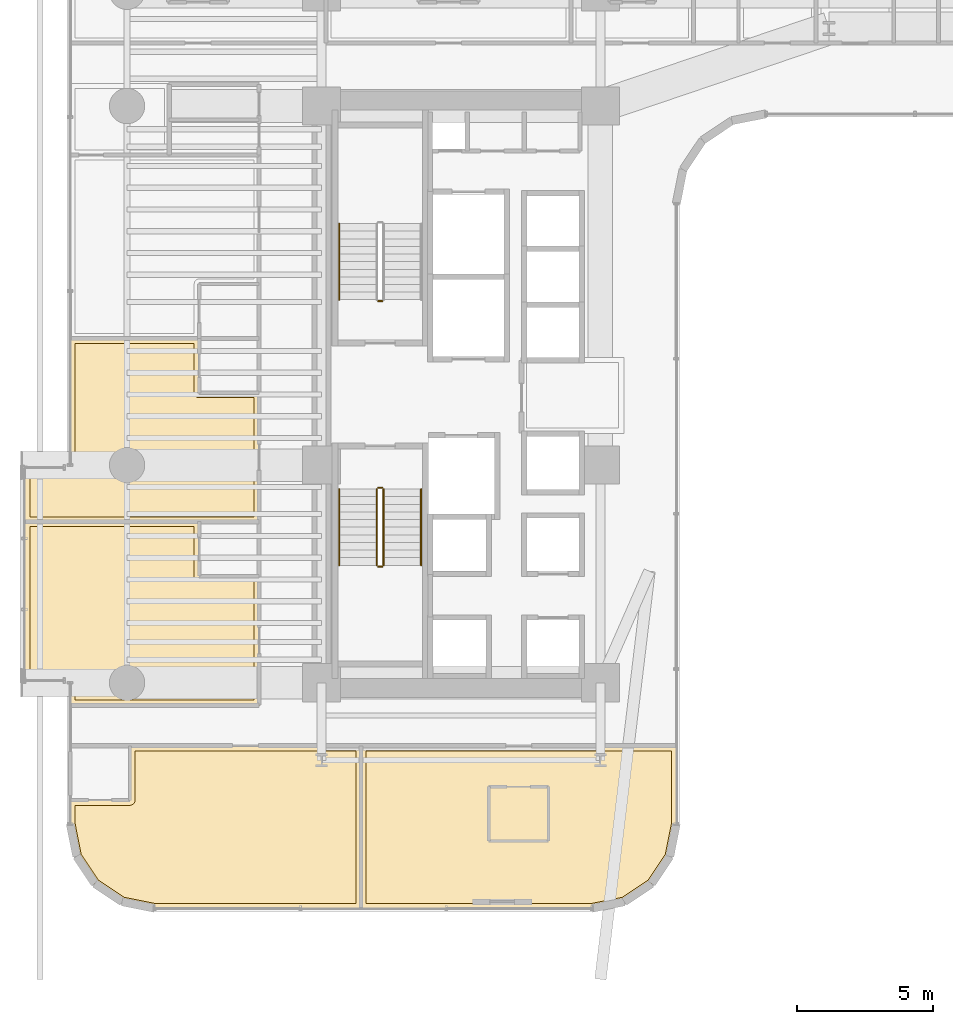
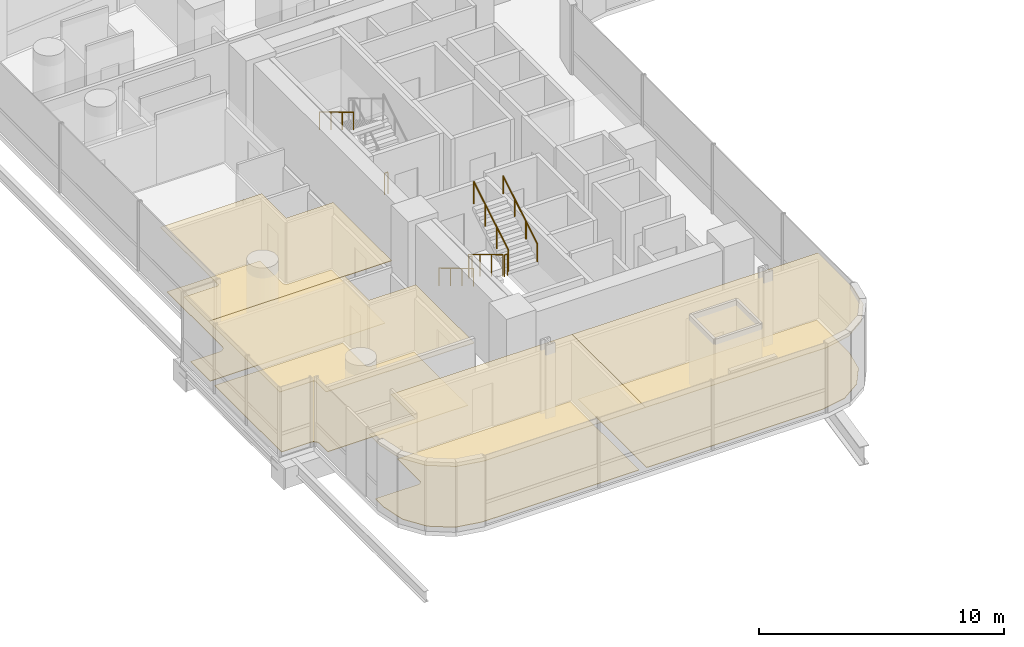
# One storey, part 45 of 50: 8 coverings, 8 railings.
"""IFC4 building model written with IfcOpenShell, lengths in metres."""

from ifc_helpers import new_model, si_unit, direction, frame, origin, origin_2d, place, context, subcontext, project, spatial, polyline, circle, outline, extrude, material, layer, layer_set, type_object, element, save


model = new_model("IFC4")

# Units and contexts
model_context = context("Model", 3, precision=1e-05, world=origin(), true_north=direction((0.0, 1.0)))
body_context = subcontext(model_context, "Body", "Model", "MODEL_VIEW")
ifc_project = project(units=[si_unit("LENGTHUNIT", "METRE"), si_unit("AREAUNIT", "SQUARE_METRE"), si_unit("VOLUMEUNIT", "CUBIC_METRE"), si_unit("PLANEANGLEUNIT", "RADIAN"), si_unit("MASSUNIT", "GRAM", prefix="KILO")], contexts=[model_context])

# Site, building, storey
site_placement = place(None, origin())
site = spatial("IfcSite", under=ifc_project, at=site_placement, CompositionType="ELEMENT")
building_placement = place(site_placement, origin())
building = spatial("IfcBuilding", under=site, at=building_placement, Name="Valdorenza Pilgrim Sanctuary Tower", CompositionType="ELEMENT")
storey_placement = place(building_placement, frame((0.0, 0.0, 26.0)))
storey = spatial("IfcBuildingStorey", under=building, at=storey_placement, Name="L05", CompositionType="ELEMENT", Elevation=26.0)

# Coverings
ifc_material_1 = material(Name="Micro-perforated acoustic mineral ceiling tile", Category="gypsum")
ifc_layer_1 = layer(ifc_material_1, 0.02490234375, Name="Micro-perforated acoustic mineral ceiling tile")
ifc_layer_set_1 = layer_set([ifc_layer_1], Name="Micro-perforated acoustic mineral ceiling tile")
covering_type_1 = type_object("IfcCoveringType", Name="COV-CLG-ACU", PredefinedType="CEILING", material=ifc_layer_set_1)
covering_1_placement = place(storey_placement, frame((0.0, 0.0, 3.159912109375)))
element("IfcCovering", 1, at=covering_1_placement, inside=storey, type_object=covering_type_1, Name="L05 Pilgrim Guest Room L05-W1 Acoustic Ceiling", PredefinedType="CEILING", context=body_context, shape_type="SweptSolid", body=[
    extrude(outline(polyline([(-31.905029296875, -10.600341796875), (-31.905517578125, -10.5908203125), (-31.90673828125, -10.58154296875), (-31.9091796875, -10.572509765625), (-31.912109375, -10.563720703125), (-31.916259765625, -10.55517578125), (-31.9208984375, -10.547119140625), (-31.926513671875, -10.539794921875), (-31.932861328125, -10.53271484375), (-31.939697265625, -10.526611328125), (-31.947265625, -10.52099609375), (-31.955078125, -10.51611328125), (-31.963623046875, -10.51220703125), (-31.972412109375, -10.509033203125), (-31.9814453125, -10.5068359375), (-31.99072265625, -10.505615234375), (-32.00048828125, -10.5048828125), (-33.5400390625, -10.5048828125), (-33.54150390625, -10.5048828125), (-33.54296875, -10.504638671875), (-33.54443359375, -10.50439453125), (-33.545654296875, -10.50390625), (-33.547119140625, -10.503173828125), (-33.54833984375, -10.50244140625), (-33.549560546875, -10.501708984375), (-33.550537109375, -10.50048828125), (-33.551513671875, -10.49951171875), (-33.552490234375, -10.498291015625), (-33.55322265625, -10.4970703125), (-33.553955078125, -10.49560546875), (-33.554443359375, -10.494384765625), (-33.5546875, -10.492919921875), (-33.554931640625, -10.491455078125), (-33.554931640625, -10.489990234375), (-33.554931640625, -4.679931640625), (-33.554931640625, -4.678466796875), (-33.5546875, -4.677001953125), (-33.554443359375, -4.675537109375), (-33.553955078125, -4.67431640625), (-33.55322265625, -4.6728515625), (-33.552490234375, -4.671630859375), (-33.551513671875, -4.67041015625), (-33.550537109375, -4.66943359375), (-33.549560546875, -4.66845703125), (-33.54833984375, -4.66748046875), (-33.547119140625, -4.666748046875), (-33.545654296875, -4.666015625), (-33.54443359375, -4.66552734375), (-33.54296875, -4.665283203125), (-33.54150390625, -4.6650390625), (-33.5400390625, -4.6650390625), (-27.152099609375, -4.6650390625), (-27.150390625, -4.6650390625), (-27.149169921875, -4.665283203125), (-27.147705078125, -4.66552734375), (-27.146240234375, -4.666015625), (-27.14501953125, -4.666748046875), (-27.143798828125, -4.66748046875), (-27.142578125, -4.66845703125), (-27.141357421875, -4.66943359375), (-27.140380859375, -4.67041015625), (-27.139404296875, -4.671630859375), (-27.138916015625, -4.6728515625), (-27.13818359375, -4.67431640625), (-27.1376953125, -4.675537109375), (-27.13720703125, -4.677001953125), (-27.13720703125, -4.678466796875), (-27.136962890625, -4.679931640625), (-27.136962890625, -6.6669921875), (-24.949951171875, -6.6669921875), (-24.948486328125, -6.6669921875), (-24.947021484375, -6.667236328125), (-24.945556640625, -6.66748046875), (-24.9443359375, -6.668212890625), (-24.94287109375, -6.668701171875), (-24.941650390625, -6.66943359375), (-24.9404296875, -6.67041015625), (-24.939453125, -6.67138671875), (-24.9384765625, -6.672607421875), (-24.9375, -6.673583984375), (-24.936767578125, -6.6748046875), (-24.93603515625, -6.67626953125), (-24.935546875, -6.677490234375), (-24.935302734375, -6.67919921875), (-24.93505859375, -6.680419921875), (-24.93505859375, -6.681884765625), (-24.93505859375, -11.419921875), (-24.93505859375, -11.42138671875), (-24.935302734375, -11.4228515625), (-24.935546875, -11.42431640625), (-24.93603515625, -11.42578125), (-24.936767578125, -11.427001953125), (-24.9375, -11.42822265625), (-24.9384765625, -11.429443359375), (-24.939453125, -11.4306640625), (-24.9404296875, -11.431640625), (-24.941650390625, -11.4326171875), (-24.94287109375, -11.43310546875), (-24.9443359375, -11.433837890625), (-24.945556640625, -11.434326171875), (-24.947021484375, -11.434814453125), (-24.948486328125, -11.434814453125), (-24.949951171875, -11.43505859375), (-31.889892578125, -11.43505859375), (-31.8916015625, -11.434814453125), (-31.892822265625, -11.434814453125), (-31.894287109375, -11.434326171875), (-31.895751953125, -11.433837890625), (-31.897216796875, -11.43310546875), (-31.898193359375, -11.4326171875), (-31.8994140625, -11.431640625), (-31.900634765625, -11.4306640625), (-31.901611328125, -11.429443359375), (-31.902587890625, -11.42822265625), (-31.9033203125, -11.427001953125), (-31.90380859375, -11.42578125), (-31.904296875, -11.42431640625), (-31.90478515625, -11.4228515625), (-31.90478515625, -11.42138671875), (-31.905029296875, -11.419921875), (-31.905029296875, -10.600341796875)])), origin(), (0.0, 0.0, 1.0), 0.025146484375),
])
covering_2_placement = place(storey_placement, frame((0.0, 0.0, 3.159912109375)))
element("IfcCovering", 2, at=covering_2_placement, inside=storey, type_object=covering_type_1, Name="L05 Pilgrim Guest Room L05-W2 Acoustic Ceiling", PredefinedType="CEILING", context=body_context, shape_type="SweptSolid", body=[
    extrude(outline(polyline([(-33.554931640625, -2.7099609375), (-33.554931640625, -2.70849609375), (-33.5546875, -2.70703125), (-33.554443359375, -2.70556640625), (-33.553955078125, -2.704345703125), (-33.55322265625, -2.702880859375), (-33.552490234375, -2.70166015625), (-33.551513671875, -2.700439453125), (-33.550537109375, -2.699462890625), (-33.549560546875, -2.698486328125), (-33.54833984375, -2.697509765625), (-33.547119140625, -2.69677734375), (-33.545654296875, -2.696044921875), (-33.54443359375, -2.695556640625), (-33.54296875, -2.6953125), (-33.54150390625, -2.695068359375), (-33.5400390625, -2.695068359375), (-32.00048828125, -2.695068359375), (-31.99072265625, -2.694580078125), (-31.9814453125, -2.693115234375), (-31.972412109375, -2.69091796875), (-31.963623046875, -2.687744140625), (-31.955078125, -2.683837890625), (-31.947265625, -2.678955078125), (-31.939697265625, -2.67333984375), (-31.932861328125, -2.667236328125), (-31.926513671875, -2.660400390625), (-31.9208984375, -2.65283203125), (-31.916259765625, -2.644775390625), (-31.912109375, -2.63623046875), (-31.9091796875, -2.627685546875), (-31.90673828125, -2.618408203125), (-31.905517578125, -2.609375), (-31.905029296875, -2.599609375), (-31.905029296875, 2.06005859375), (-31.90478515625, 2.0615234375), (-31.90478515625, 2.06298828125), (-31.904296875, 2.064453125), (-31.90380859375, 2.065673828125), (-31.9033203125, 2.067138671875), (-31.902587890625, 2.068359375), (-31.901611328125, 2.069580078125), (-31.900634765625, 2.070556640625), (-31.8994140625, 2.071533203125), (-31.898193359375, 2.072509765625), (-31.897216796875, 2.0732421875), (-31.895751953125, 2.073974609375), (-31.894287109375, 2.074462890625), (-31.892822265625, 2.07470703125), (-31.8916015625, 2.074951171875), (-31.889892578125, 2.074951171875), (-27.152099609375, 2.074951171875), (-27.150390625, 2.074951171875), (-27.149169921875, 2.07470703125), (-27.147705078125, 2.074462890625), (-27.146240234375, 2.073974609375), (-27.14501953125, 2.0732421875), (-27.143798828125, 2.072509765625), (-27.142578125, 2.071533203125), (-27.141357421875, 2.070556640625), (-27.140380859375, 2.069580078125), (-27.139404296875, 2.068359375), (-27.138916015625, 2.067138671875), (-27.13818359375, 2.065673828125), (-27.1376953125, 2.064453125), (-27.13720703125, 2.06298828125), (-27.13720703125, 2.0615234375), (-27.136962890625, 2.06005859375), (-27.136962890625, 0.072998046875), (-24.949951171875, 0.072998046875), (-24.948486328125, 0.072998046875), (-24.947021484375, 0.07275390625), (-24.945556640625, 0.072509765625), (-24.9443359375, 0.072021484375), (-24.94287109375, 0.0712890625), (-24.941650390625, 0.070556640625), (-24.9404296875, 0.069580078125), (-24.939453125, 0.068603515625), (-24.9384765625, 0.0673828125), (-24.9375, 0.06640625), (-24.936767578125, 0.065185546875), (-24.93603515625, 0.063720703125), (-24.935546875, 0.0625), (-24.935302734375, 0.060791015625), (-24.93505859375, 0.0595703125), (-24.93505859375, 0.05810546875), (-24.93505859375, -4.677978515625), (-24.93505859375, -4.679443359375), (-24.935302734375, -4.680908203125), (-24.935546875, -4.682373046875), (-24.93603515625, -4.68359375), (-24.936767578125, -4.68505859375), (-24.9375, -4.686279296875), (-24.9384765625, -4.6875), (-24.939453125, -4.688720703125), (-24.9404296875, -4.689697265625), (-24.941650390625, -4.6904296875), (-24.94287109375, -4.691162109375), (-24.9443359375, -4.69189453125), (-24.945556640625, -4.6923828125), (-24.947021484375, -4.692626953125), (-24.948486328125, -4.69287109375), (-24.949951171875, -4.693115234375), (-27.148193359375, -4.693115234375), (-27.14892578125, -4.693115234375), (-27.150390625, -4.693359375), (-27.152099609375, -4.693115234375), (-27.153564453125, -4.693115234375), (-27.15380859375, -4.693115234375), (-33.5400390625, -4.693115234375), (-33.54150390625, -4.69287109375), (-33.54296875, -4.692626953125), (-33.54443359375, -4.6923828125), (-33.545654296875, -4.69189453125), (-33.547119140625, -4.691162109375), (-33.54833984375, -4.6904296875), (-33.549560546875, -4.689697265625), (-33.550537109375, -4.688720703125), (-33.551513671875, -4.6875), (-33.552490234375, -4.686279296875), (-33.55322265625, -4.68505859375), (-33.553955078125, -4.68359375), (-33.554443359375, -4.682373046875), (-33.5546875, -4.680908203125), (-33.554931640625, -4.679443359375), (-33.554931640625, -4.677978515625), (-33.554931640625, -2.7099609375)])), origin(), (0.0, 0.0, 1.0), 0.025146484375),
])
covering_3_placement = place(storey_placement, frame((0.0, 0.0, 3.159912109375)))
element("IfcCovering", 3, at=covering_3_placement, inside=storey, type_object=covering_type_1, Name="L05 South Guest Room L05-S1 Acoustic Ceiling", PredefinedType="CEILING", context=body_context, shape_type="SweptSolid", body=[
    extrude(outline(polyline([(-29.702880859375, -14.906982421875), (-29.702880859375, -12.919921875), (-29.702880859375, -12.91845703125), (-29.70263671875, -12.9169921875), (-29.702392578125, -12.91552734375), (-29.701904296875, -12.914306640625), (-29.701171875, -12.912841796875), (-29.700439453125, -12.91162109375), (-29.69970703125, -12.910400390625), (-29.698486328125, -12.909423828125), (-29.697509765625, -12.908447265625), (-29.6962890625, -12.907470703125), (-29.695068359375, -12.90673828125), (-29.693603515625, -12.906005859375), (-29.6923828125, -12.905517578125), (-29.69091796875, -12.9052734375), (-29.689453125, -12.905029296875), (-29.68798828125, -12.905029296875), (-21.199951171875, -12.905029296875), (-21.198486328125, -12.905029296875), (-21.197021484375, -12.9052734375), (-21.195556640625, -12.905517578125), (-21.1943359375, -12.906005859375), (-21.19287109375, -12.90673828125), (-21.191650390625, -12.907470703125), (-21.1904296875, -12.908447265625), (-21.189453125, -12.909423828125), (-21.1884765625, -12.910400390625), (-21.1875, -12.91162109375), (-21.186767578125, -12.912841796875), (-21.18603515625, -12.914306640625), (-21.185546875, -12.91552734375), (-21.185302734375, -12.9169921875), (-21.18505859375, -12.91845703125), (-21.18505859375, -12.919921875), (-21.18505859375, -18.889892578125), (-21.18505859375, -18.8916015625), (-21.185302734375, -18.892822265625), (-21.185546875, -18.894287109375), (-21.18603515625, -18.895751953125), (-21.186767578125, -18.897216796875), (-21.1875, -18.898193359375), (-21.1884765625, -18.8994140625), (-21.189453125, -18.900634765625), (-21.1904296875, -18.901611328125), (-21.191650390625, -18.902587890625), (-21.19287109375, -18.9033203125), (-21.1943359375, -18.90380859375), (-21.195556640625, -18.904296875), (-21.197021484375, -18.90478515625), (-21.198486328125, -18.90478515625), (-21.199951171875, -18.905029296875), (-28.789306640625, -18.905029296875), (-28.79052734375, -18.90478515625), (-28.7919921875, -18.90478515625), (-29.984619140625, -18.66748046875), (-29.986083984375, -18.6669921875), (-29.9873046875, -18.66650390625), (-29.98876953125, -18.666015625), (-29.989990234375, -18.665283203125), (-30.99169921875, -17.995849609375), (-30.992919921875, -17.9951171875), (-30.993896484375, -17.993896484375), (-30.9951171875, -17.992919921875), (-30.995849609375, -17.99169921875), (-31.665283203125, -16.989990234375), (-31.666015625, -16.98876953125), (-31.66650390625, -16.9873046875), (-31.6669921875, -16.986083984375), (-31.66748046875, -16.984619140625), (-31.90478515625, -15.7919921875), (-31.90478515625, -15.79052734375), (-31.905029296875, -15.789306640625), (-31.905029296875, -14.922119140625), (-31.90478515625, -14.92041015625), (-31.90478515625, -14.919189453125), (-31.904296875, -14.91748046875), (-31.90380859375, -14.916259765625), (-31.9033203125, -14.914794921875), (-31.902587890625, -14.913818359375), (-31.901611328125, -14.91259765625), (-31.900634765625, -14.911376953125), (-31.8994140625, -14.910400390625), (-31.898193359375, -14.909423828125), (-31.897216796875, -14.90869140625), (-31.895751953125, -14.908203125), (-31.894287109375, -14.90771484375), (-31.892822265625, -14.9072265625), (-31.8916015625, -14.906982421875), (-31.889892578125, -14.906982421875), (-29.702880859375, -14.906982421875)])), origin(), (0.0, 0.0, 1.0), 0.025146484375),
])
covering_4_placement = place(storey_placement, frame((0.0, 0.0, 3.159912109375)))
element("IfcCovering", 4, at=covering_4_placement, inside=storey, type_object=covering_type_1, Name="L05 South Guest Room L05-S2 Acoustic Ceiling", PredefinedType="CEILING", context=body_context, shape_type="SweptSolid", body=[
    extrude(outline(polyline([(-9.610107421875, -12.905029296875), (-9.6083984375, -12.905029296875), (-9.607177734375, -12.9052734375), (-9.605712890625, -12.905517578125), (-9.604248046875, -12.906005859375), (-9.602783203125, -12.90673828125), (-9.601806640625, -12.907470703125), (-9.6005859375, -12.908447265625), (-9.599365234375, -12.909423828125), (-9.598388671875, -12.910400390625), (-9.597412109375, -12.91162109375), (-9.5966796875, -12.912841796875), (-9.59619140625, -12.914306640625), (-9.595703125, -12.91552734375), (-9.59521484375, -12.9169921875), (-9.59521484375, -12.91845703125), (-9.594970703125, -12.919921875), (-9.594970703125, -15.789306640625), (-9.59521484375, -15.79052734375), (-9.59521484375, -15.7919921875), (-9.83251953125, -16.984619140625), (-9.8330078125, -16.986083984375), (-9.83349609375, -16.9873046875), (-9.833984375, -16.98876953125), (-9.834716796875, -16.989990234375), (-10.504150390625, -17.99169921875), (-10.5048828125, -17.992919921875), (-10.506103515625, -17.993896484375), (-10.507080078125, -17.9951171875), (-10.50830078125, -17.995849609375), (-11.510009765625, -18.665283203125), (-11.51123046875, -18.666015625), (-11.5126953125, -18.66650390625), (-11.513916015625, -18.6669921875), (-11.515380859375, -18.66748046875), (-12.7080078125, -18.90478515625), (-12.70947265625, -18.90478515625), (-12.710693359375, -18.905029296875), (-21.197998046875, -18.905029296875), (-21.199462890625, -18.90478515625), (-21.200927734375, -18.90478515625), (-21.202392578125, -18.904296875), (-21.20361328125, -18.90380859375), (-21.205078125, -18.9033203125), (-21.206298828125, -18.902587890625), (-21.20751953125, -18.901611328125), (-21.20849609375, -18.900634765625), (-21.209716796875, -18.8994140625), (-21.21044921875, -18.898193359375), (-21.211181640625, -18.897216796875), (-21.2119140625, -18.895751953125), (-21.21240234375, -18.894287109375), (-21.212646484375, -18.892822265625), (-21.212890625, -18.8916015625), (-21.212890625, -18.889892578125), (-21.212890625, -12.919921875), (-21.212890625, -12.91845703125), (-21.212646484375, -12.9169921875), (-21.21240234375, -12.91552734375), (-21.2119140625, -12.914306640625), (-21.211181640625, -12.912841796875), (-21.21044921875, -12.91162109375), (-21.209716796875, -12.910400390625), (-21.20849609375, -12.909423828125), (-21.20751953125, -12.908447265625), (-21.206298828125, -12.907470703125), (-21.205078125, -12.90673828125), (-21.20361328125, -12.906005859375), (-21.202392578125, -12.905517578125), (-21.200927734375, -12.9052734375), (-21.199462890625, -12.905029296875), (-21.197998046875, -12.905029296875), (-9.610107421875, -12.905029296875)])), origin(), (0.0, 0.0, 1.0), 0.025146484375),
])
ifc_material_2 = material(Name="Engineered European oak timber flooring", Category="wood")
ifc_layer_2 = layer(ifc_material_2, 0.02197265625, Name="Engineered European oak timber flooring")
ifc_layer_set_2 = layer_set([ifc_layer_2], Name="Engineered European oak timber flooring")
covering_type_2 = type_object("IfcCoveringType", Name="COV-FLR-OAK", PredefinedType="FLOORING", material=ifc_layer_set_2)
covering_5_placement = place(storey_placement, origin())
element("IfcCovering", 5, at=covering_5_placement, inside=storey, type_object=covering_type_2, Name="L05 Pilgrim Guest Room L05-W1 Flooring", PredefinedType="FLOORING", context=body_context, shape_type="SweptSolid", body=[
    extrude(outline(polyline([(-31.7099609375, -10.60009765625), (-31.710205078125, -10.59130859375), (-31.710693359375, -10.580322265625), (-31.71240234375, -10.562744140625), (-31.714111328125, -10.552001953125), (-31.717529296875, -10.534912109375), (-31.72021484375, -10.5244140625), (-31.725341796875, -10.50732421875), (-31.72900390625, -10.497314453125), (-31.735595703125, -10.48095703125), (-31.740234375, -10.47119140625), (-31.74853515625, -10.45556640625), (-31.754150390625, -10.4462890625), (-31.763916015625, -10.431640625), (-31.7705078125, -10.423095703125), (-31.781494140625, -10.4091796875), (-31.788818359375, -10.4013671875), (-31.80126953125, -10.388916015625), (-31.809326171875, -10.381591796875), (-31.822998046875, -10.370361328125), (-31.831787109375, -10.364013671875), (-31.84619140625, -10.35400390625), (-31.855712890625, -10.3486328125), (-31.87109375, -10.34033203125), (-31.880859375, -10.335693359375), (-31.897216796875, -10.328857421875), (-31.907470703125, -10.3251953125), (-31.92431640625, -10.320068359375), (-31.934814453125, -10.3173828125), (-31.9521484375, -10.314208984375), (-31.962890625, -10.3125), (-31.98046875, -10.310791015625), (-31.9912109375, -10.310302734375), (-32.0, -10.31005859375), (-33.360107421875, -10.31005859375), (-33.360107421875, -4.860107421875), (-27.33203125, -4.860107421875), (-27.33203125, -6.679931640625), (-27.331787109375, -6.688720703125), (-27.331787109375, -6.68896484375), (-27.330078125, -6.70654296875), (-27.330078125, -6.706787109375), (-27.32666015625, -6.72412109375), (-27.326416015625, -6.724365234375), (-27.3212890625, -6.7412109375), (-27.3212890625, -6.741455078125), (-27.314697265625, -6.7578125), (-27.314453125, -6.7578125), (-27.30615234375, -6.7734375), (-27.30615234375, -6.773681640625), (-27.296142578125, -6.788330078125), (-27.296142578125, -6.78857421875), (-27.284912109375, -6.802001953125), (-27.284912109375, -6.80224609375), (-27.272216796875, -6.814697265625), (-27.272216796875, -6.81494140625), (-27.258544921875, -6.826171875), (-27.25830078125, -6.826171875), (-27.24365234375, -6.836181640625), (-27.243408203125, -6.836181640625), (-27.227783203125, -6.844482421875), (-27.227783203125, -6.844482421875), (-27.21142578125, -6.851318359375), (-27.211181640625, -6.851318359375), (-27.1943359375, -6.8564453125), (-27.194091796875, -6.856689453125), (-27.1767578125, -6.860107421875), (-27.176513671875, -6.860107421875), (-27.158935546875, -6.86181640625), (-27.15869140625, -6.86181640625), (-27.14990234375, -6.862060546875), (-25.1298828125, -6.862060546875), (-25.1298828125, -11.239990234375), (-31.7099609375, -11.239990234375), (-31.7099609375, -10.60009765625)])), origin(), (0.0, 0.0, 1.0), 0.02490234375),
])
covering_6_placement = place(storey_placement, origin())
element("IfcCovering", 6, at=covering_6_placement, inside=storey, type_object=covering_type_2, Name="L05 Pilgrim Guest Room L05-W2 Flooring", PredefinedType="FLOORING", context=body_context, shape_type="SweptSolid", body=[
    extrude(outline(polyline([(-33.360107421875, -2.889892578125), (-32.0, -2.889892578125), (-31.9912109375, -2.889892578125), (-31.98046875, -2.889404296875), (-31.962890625, -2.887451171875), (-31.9521484375, -2.885986328125), (-31.934814453125, -2.882568359375), (-31.92431640625, -2.8798828125), (-31.907470703125, -2.874755859375), (-31.897216796875, -2.87109375), (-31.880859375, -2.8642578125), (-31.87109375, -2.859619140625), (-31.855712890625, -2.851318359375), (-31.84619140625, -2.845947265625), (-31.831787109375, -2.8359375), (-31.822998046875, -2.82958984375), (-31.809326171875, -2.818359375), (-31.80126953125, -2.811279296875), (-31.788818359375, -2.798583984375), (-31.781494140625, -2.790771484375), (-31.7705078125, -2.777099609375), (-31.763916015625, -2.768310546875), (-31.754150390625, -2.753662109375), (-31.74853515625, -2.744384765625), (-31.740234375, -2.728759765625), (-31.735595703125, -2.718994140625), (-31.72900390625, -2.70263671875), (-31.725341796875, -2.692626953125), (-31.72021484375, -2.67578125), (-31.717529296875, -2.665283203125), (-31.714111328125, -2.64794921875), (-31.71240234375, -2.63720703125), (-31.710693359375, -2.61962890625), (-31.710205078125, -2.60888671875), (-31.7099609375, -2.60009765625), (-31.7099609375, 1.8798828125), (-27.33203125, 1.8798828125), (-27.33203125, 0.06005859375), (-27.331787109375, 0.05126953125), (-27.331787109375, 0.051025390625), (-27.330078125, 0.033447265625), (-27.330078125, 0.033203125), (-27.32666015625, 0.015869140625), (-27.326416015625, 0.015625), (-27.3212890625, -0.001220703125), (-27.3212890625, -0.00146484375), (-27.314697265625, -0.017578125), (-27.314453125, -0.017822265625), (-27.30615234375, -0.033447265625), (-27.30615234375, -0.03369140625), (-27.296142578125, -0.04833984375), (-27.296142578125, -0.048583984375), (-27.284912109375, -0.06201171875), (-27.284912109375, -0.062255859375), (-27.272216796875, -0.07470703125), (-27.272216796875, -0.074951171875), (-27.258544921875, -0.086181640625), (-27.25830078125, -0.086181640625), (-27.24365234375, -0.09619140625), (-27.243408203125, -0.09619140625), (-27.227783203125, -0.1044921875), (-27.227783203125, -0.1044921875), (-27.21142578125, -0.111328125), (-27.211181640625, -0.111328125), (-27.1943359375, -0.116455078125), (-27.194091796875, -0.11669921875), (-27.1767578125, -0.1201171875), (-27.176513671875, -0.1201171875), (-27.158935546875, -0.121826171875), (-27.15869140625, -0.121826171875), (-27.14990234375, -0.1220703125), (-25.1298828125, -0.1220703125), (-25.1298828125, -4.498046875), (-27.14990234375, -4.498046875), (-27.15087890625, -4.498046875), (-27.151611328125, -4.498046875), (-27.152099609375, -4.498046875), (-33.360107421875, -4.498046875), (-33.360107421875, -2.889892578125)])), origin(), (0.0, 0.0, 1.0), 0.02490234375),
])
covering_7_placement = place(storey_placement, origin())
element("IfcCovering", 7, at=covering_7_placement, inside=storey, type_object=covering_type_2, Name="L05 South Guest Room L05-S1 Flooring", PredefinedType="FLOORING", context=body_context, shape_type="SweptSolid", body=[
    extrude(outline(polyline([(-28.771484375, -18.7099609375), (-29.911376953125, -18.483154296875), (-30.853515625, -17.853515625), (-31.483154296875, -16.911376953125), (-31.7099609375, -15.771484375), (-31.7099609375, -15.10205078125), (-29.68994140625, -15.10205078125), (-29.68115234375, -15.101806640625), (-29.680908203125, -15.101806640625), (-29.663330078125, -15.10009765625), (-29.6630859375, -15.10009765625), (-29.64599609375, -15.0966796875), (-29.645751953125, -15.096435546875), (-29.62890625, -15.09130859375), (-29.628662109375, -15.09130859375), (-29.6123046875, -15.084716796875), (-29.612060546875, -15.08447265625), (-29.596435546875, -15.076171875), (-29.596435546875, -15.076171875), (-29.581787109375, -15.066162109375), (-29.58154296875, -15.066162109375), (-29.56787109375, -15.054931640625), (-29.567626953125, -15.0546875), (-29.55517578125, -15.042236328125), (-29.55517578125, -15.0419921875), (-29.5439453125, -15.028564453125), (-29.543701171875, -15.0283203125), (-29.533935546875, -15.013671875), (-29.53369140625, -15.013427734375), (-29.525390625, -14.997802734375), (-29.525390625, -14.997802734375), (-29.518798828125, -14.9814453125), (-29.5185546875, -14.981201171875), (-29.513427734375, -14.96435546875), (-29.513427734375, -14.964111328125), (-29.510009765625, -14.94677734375), (-29.510009765625, -14.946533203125), (-29.50830078125, -14.928955078125), (-29.50830078125, -14.9287109375), (-29.508056640625, -14.919921875), (-29.508056640625, -13.10009765625), (-21.3798828125, -13.10009765625), (-21.3798828125, -18.7099609375), (-28.771484375, -18.7099609375)])), origin(), (0.0, 0.0, 1.0), 0.02490234375),
])
covering_8_placement = place(storey_placement, origin())
element("IfcCovering", 8, at=covering_8_placement, inside=storey, type_object=covering_type_2, Name="L05 South Guest Room L05-S2 Flooring", PredefinedType="FLOORING", context=body_context, shape_type="SweptSolid", body=[
    extrude(outline(polyline([(-9.7900390625, -13.10009765625), (-9.7900390625, -15.771484375), (-10.016845703125, -16.911376953125), (-10.646484375, -17.853515625), (-11.588623046875, -18.483154296875), (-12.728515625, -18.7099609375), (-21.01806640625, -18.7099609375), (-21.01806640625, -13.10009765625), (-9.7900390625, -13.10009765625)])), origin(), (0.0, 0.0, 1.0), 0.02490234375),
])

# Railings
ifc_material_3 = material(Name="Stainless steel Grade 316", Category="steel")
railing_type_1 = type_object("IfcRailingType", Name="RLG-GRD-1120", PredefinedType="GUARDRAIL", material=ifc_material_3)
railing_1_placement = place(storey_placement, frame((-20.419921875, 3.429931640625, 0.0)))
element("IfcRailing", 9, at=railing_1_placement, inside=storey, type_object=railing_type_1, Name="L05 ST-A1 stair guard 4", PredefinedType="GUARDRAIL", context=body_context, shape_type="SweptSolid", body=[
    extrude(circle(Radius=0.02392578125, at=origin_2d()), frame((0.0, 0.0, 1.076171875), z_axis=(-1.0, 0.0, 0.0), x_axis=(0.0, -1.0, 0.0)), (0.0, 0.0, 1.0), 0.150146484375),
    extrude(circle(Radius=0.02099609375, at=origin_2d()), origin(), (0.0, 0.0, 1.0), 1.052001953125),
    extrude(circle(Radius=0.02099609375, at=origin_2d()), frame((-0.150146484375, 0.0, 0.0)), (0.0, 0.0, 1.0), 1.052001953125),
])
railing_2_placement = place(storey_placement, frame((-20.6201171875, -3.47998046875, 0.168212890625)))
element("IfcRailing", 10, at=railing_2_placement, inside=storey, type_object=railing_type_1, Name="L05 ST-A2 stair guard 1", PredefinedType="GUARDRAIL", context=body_context, shape_type="SweptSolid", body=[
    extrude(circle(Radius=0.02392578125, at=origin_2d()), frame((0.0, 0.0, 1.076171875), z_axis=(0.0, -0.857242210791, 0.514913383045), x_axis=(1.0, 0.0, 0.0)), (0.0, 0.0, 1.0), 3.266357421875),
    extrude(circle(Radius=0.02099609375, at=origin_2d()), origin(), (0.0, 0.0, 1.0), 1.052001953125),
    extrude(circle(Radius=0.02099609375, at=origin_2d()), frame((0.0, -0.933349609375, 0.560546875)), (0.0, 0.0, 1.0), 1.052001953125),
    extrude(circle(Radius=0.02099609375, at=origin_2d()), frame((0.0, -1.86669921875, 1.121337890625)), (0.0, 0.0, 1.0), 1.052001953125),
    extrude(circle(Radius=0.02099609375, at=origin_2d()), frame((0.0, -2.800048828125, 1.681884765625)), (0.0, 0.0, 1.0), 1.052001953125),
])
railing_3_placement = place(storey_placement, frame((-20.570068359375, -6.330078125, 1.85009765625)))
element("IfcRailing", 11, at=railing_3_placement, inside=storey, type_object=railing_type_1, Name="L05 ST-A2 stair guard 2", PredefinedType="GUARDRAIL", context=body_context, shape_type="SweptSolid", body=[
    extrude(circle(Radius=0.02392578125, at=origin_2d()), frame((0.0, 0.0, 1.076171875), z_axis=(1.0, 0.0, 0.0), x_axis=(0.0, 1.0, 0.0)), (0.0, 0.0, 1.0), 0.150146484375),
    extrude(circle(Radius=0.02099609375, at=origin_2d()), origin(), (0.0, 0.0, 1.0), 1.052001953125),
    extrude(circle(Radius=0.02099609375, at=origin_2d()), frame((0.150146484375, 0.0, 0.0)), (0.0, 0.0, 1.0), 1.052001953125),
])
railing_4_placement = place(storey_placement, frame((-20.3701171875, -6.280029296875, 2.01806640625)))
element("IfcRailing", 12, at=railing_4_placement, inside=storey, type_object=railing_type_1, Name="L05 ST-A2 stair guard 3", PredefinedType="GUARDRAIL", context=body_context, shape_type="SweptSolid", body=[
    extrude(circle(Radius=0.02392578125, at=origin_2d()), frame((0.0, 0.0, 1.076171875), z_axis=(0.0, 0.857242210791, 0.514913383045), x_axis=(-1.0, 0.0, 0.0)), (0.0, 0.0, 1.0), 3.266357421875),
    extrude(circle(Radius=0.02099609375, at=origin_2d()), origin(), (0.0, 0.0, 1.0), 1.052001953125),
    extrude(circle(Radius=0.02099609375, at=origin_2d()), frame((0.0, 0.933349609375, 0.560546875)), (0.0, 0.0, 1.0), 1.052001953125),
    extrude(circle(Radius=0.02099609375, at=origin_2d()), frame((0.0, 1.86669921875, 1.121337890625)), (0.0, 0.0, 1.0), 1.052001953125),
    extrude(circle(Radius=0.02099609375, at=origin_2d()), frame((0.0, 2.800048828125, 1.681884765625)), (0.0, 0.0, 1.0), 1.052001953125),
])
railing_5_placement = place(storey_placement, frame((-20.570068359375, -3.429931640625, 0.0)))
element("IfcRailing", 13, at=railing_5_placement, inside=storey, type_object=railing_type_1, Name="L05 ST-A2 stair guard 4", PredefinedType="GUARDRAIL", context=body_context, shape_type="SweptSolid", body=[
    extrude(circle(Radius=0.02392578125, at=origin_2d()), frame((0.0, 0.0, 1.076171875), z_axis=(1.0, 0.0, 0.0), x_axis=(0.0, 1.0, 0.0)), (0.0, 0.0, 1.0), 0.150146484375),
    extrude(circle(Radius=0.02099609375, at=origin_2d()), origin(), (0.0, 0.0, 1.0), 1.052001953125),
    extrude(circle(Radius=0.02099609375, at=origin_2d()), frame((0.150146484375, 0.0, 0.0)), (0.0, 0.0, 1.0), 1.052001953125),
])
ifc_material_4 = material(Name="Brushed stainless steel Grade 316", Category="steel")
railing_type_2 = type_object("IfcRailingType", Name="RLG-HND-920", PredefinedType="HANDRAIL", material=ifc_material_4)
for number, where, name in (
    (14, (-22.0, 6.280029296875, 2.01806640625), "L05 ST-A1 stair handrail 2"),
    (15, (-22.0, -3.47998046875, 0.168212890625), "L05 ST-A2 stair handrail 1"),
):
    element("IfcRailing", number, at=place(storey_placement, frame(where)), inside=storey, type_object=railing_type_2, Name=name, PredefinedType="HANDRAIL", context=body_context, shape_type="SweptSolid", body=[
        extrude(circle(Radius=0.02392578125, at=origin_2d()), frame((0.0, 0.0, 0.8759765625), z_axis=(0.0, -0.857242210791, 0.514913383045), x_axis=(1.0, 0.0, 0.0)), (0.0, 0.0, 1.0), 3.266357421875),
        extrude(circle(Radius=0.02099609375, at=origin_2d()), origin(), (0.0, 0.0, 1.0), 0.851806640625),
        extrude(circle(Radius=0.02099609375, at=origin_2d()), frame((0.0, -0.933349609375, 0.560546875)), (0.0, 0.0, 1.0), 0.851806640625),
        extrude(circle(Radius=0.02099609375, at=origin_2d()), frame((0.0, -1.86669921875, 1.121337890625)), (0.0, 0.0, 1.0), 0.851806640625),
        extrude(circle(Radius=0.02099609375, at=origin_2d()), frame((0.0, -2.800048828125, 1.681884765625)), (0.0, 0.0, 1.0), 0.851806640625),
    ])
railing_6_placement = place(storey_placement, frame((-18.989990234375, -6.280029296875, 2.01806640625)))
element("IfcRailing", 16, at=railing_6_placement, inside=storey, type_object=railing_type_2, Name="L05 ST-A2 stair handrail 2", PredefinedType="HANDRAIL", context=body_context, shape_type="SweptSolid", body=[
    extrude(circle(Radius=0.02392578125, at=origin_2d()), frame((0.0, 0.0, 0.8759765625), z_axis=(0.0, 0.857242210791, 0.514913383045), x_axis=(-1.0, 0.0, 0.0)), (0.0, 0.0, 1.0), 3.266357421875),
    extrude(circle(Radius=0.02099609375, at=origin_2d()), origin(), (0.0, 0.0, 1.0), 0.851806640625),
    extrude(circle(Radius=0.02099609375, at=origin_2d()), frame((0.0, 0.933349609375, 0.560546875)), (0.0, 0.0, 1.0), 0.851806640625),
    extrude(circle(Radius=0.02099609375, at=origin_2d()), frame((0.0, 1.86669921875, 1.121337890625)), (0.0, 0.0, 1.0), 0.851806640625),
    extrude(circle(Radius=0.02099609375, at=origin_2d()), frame((0.0, 2.800048828125, 1.681884765625)), (0.0, 0.0, 1.0), 0.851806640625),
])

save(model, "model.ifc")
